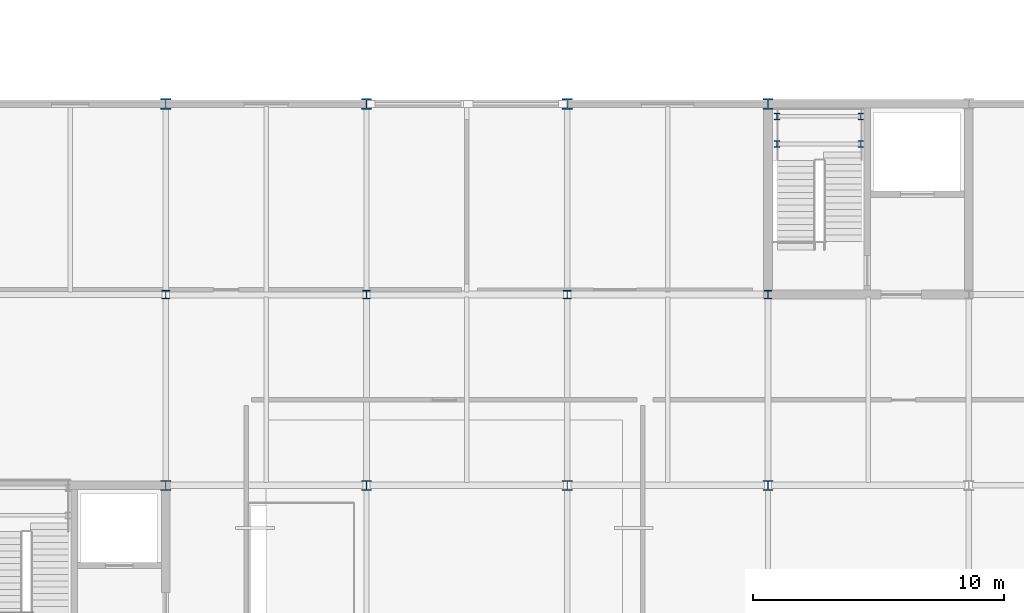
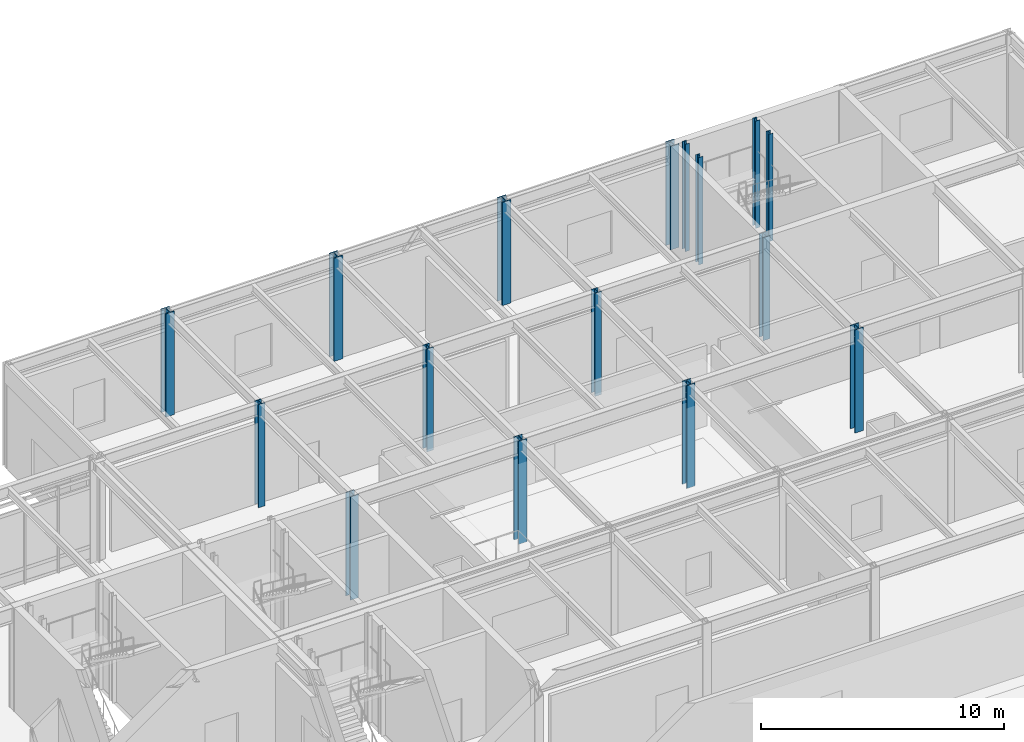
# One storey, part 19 of 94: 16 columns.
"""IFC4 building model written with IfcOpenShell, lengths in metres."""

from ifc_helpers import new_model, si_unit, direction, frame, origin, origin_2d, place, context, subcontext, project, spatial, i_section, extrude, material, material_profile, profile_set, type_object, element, save


model = new_model("IFC4")

# Units and contexts
model_context = context("Model", 3, precision=1e-05, world=origin(), true_north=direction((0.0, 1.0)))
body_context = subcontext(model_context, "Body", "Model", "MODEL_VIEW")
ifc_project = project(units=[si_unit("LENGTHUNIT", "METRE"), si_unit("AREAUNIT", "SQUARE_METRE"), si_unit("VOLUMEUNIT", "CUBIC_METRE"), si_unit("PLANEANGLEUNIT", "RADIAN"), si_unit("MASSUNIT", "GRAM", prefix="KILO")], contexts=[model_context])

# Site, building, storey
site_placement = place(None, origin())
site = spatial("IfcSite", under=ifc_project, at=site_placement, CompositionType="ELEMENT")
building_placement = place(site_placement, origin())
building = spatial("IfcBuilding", under=site, at=building_placement, Name="Zulena Civic Courthouse", CompositionType="ELEMENT")
storey_placement = place(building_placement, frame((0.0, 0.0, 5.39990234375)))
storey = spatial("IfcBuildingStorey", under=building, at=storey_placement, Name="L01", CompositionType="ELEMENT", Elevation=5.39990234375)

# Columns
ifc_material = material(Name="Steel ASTM A992 Grade 50", Category="steel")
ifc_material_profile_1 = material_profile(ifc_material, i_section(OverallWidth=0.2041015625, OverallDepth=0.257080078125, WebThickness=0.0087890625, FlangeThickness=0.015625, FilletRadius=0.0126953125, at=origin_2d()), Name="W10X45")
ifc_profile_set_1 = profile_set([ifc_material_profile_1], Name="Steel ASTM A992 Grade 50")
column_type_1 = type_object("IfcColumnType", Name="Col_W10X45", PredefinedType="COLUMN", material=ifc_profile_set_1)
for number, where, z_axis, x_axis, name in (
    (1, (156.360107421875, 51.60009765625, 0.0), (0.0, 0.0, 1.0), (1.0, 0.0, 0.0), "col:lnd:K3B:L01:0:0"),
    (2, (159.699951171875, 51.60009765625, 0.0), (0.0, 0.0, 1.0), (1.0, 0.0, 0.0), "col:lnd:K3B:L01:0:1"),
    (3, (156.360107421875, 52.699951171875, 0.0), (0.0, 0.0, 1.0), (1.0, 0.0, 0.0), "col:lnd:K3B:L01:1:0"),
    (4, (159.699951171875, 52.699951171875, 0.0), (0.0, 0.0, 1.0), (1.0, 0.0, 0.0), "col:lnd:K3B:L01:1:1"),
):
    element("IfcColumn", number, at=place(storey_placement, frame(where, z_axis=z_axis, x_axis=x_axis)), inside=storey, type_object=column_type_1, Name=name, PredefinedType="COLUMN", context=body_context, shape_type="SweptSolid", body=[
        extrude(i_section(OverallWidth=0.2041015625, OverallDepth=0.257080078125, WebThickness=0.0087890625, FlangeThickness=0.015625, FilletRadius=0.0126953125, at=origin_2d()), origin(), (0.0, 0.0, 1.0), 5.39501953125),
    ])
ifc_material_profile_2 = material_profile(ifc_material, i_section(OverallWidth=0.31298828125, OverallDepth=0.3330078125, WebThickness=0.01806640625, FlangeThickness=0.0283203125, FilletRadius=0.01513671875, at=origin_2d()), Name="W12X120")
ifc_profile_set_2 = profile_set([ifc_material_profile_2], Name="Steel ASTM A992 Grade 50")
column_type_2 = type_object("IfcColumnType", Name="Col_W12X120", PredefinedType="COLUMN", material=ifc_profile_set_2)
for number, where, z_axis, x_axis, name in (
    (5, (132.0, 45.60009765625, 0.0), (0.0, 0.0, 1.0), (1.0, 0.0, 0.0), "col:V3:L01:132.0:45.6"),
    (6, (140.0, 45.60009765625, 0.0), (0.0, 0.0, 1.0), (1.0, 0.0, 0.0), "col:V3:L01:140.0:45.6"),
    (7, (148.0, 45.60009765625, 0.0), (0.0, 0.0, 1.0), (1.0, 0.0, 0.0), "col:V3:L01:148.0:45.6"),
    (8, (156.0, 45.60009765625, 0.0), (0.0, 0.0, 1.0), (1.0, 0.0, 0.0), "col:V3:L01:156.0:45.6"),
):
    element("IfcColumn", number, at=place(storey_placement, frame(where, z_axis=z_axis, x_axis=x_axis)), inside=storey, type_object=column_type_2, Name=name, PredefinedType="COLUMN", context=body_context, shape_type="SweptSolid", body=[
        extrude(i_section(OverallWidth=0.31298828125, OverallDepth=0.3330078125, WebThickness=0.01806640625, FlangeThickness=0.0283203125, FilletRadius=0.01513671875, at=origin_2d()), origin(), (0.0, 0.0, 1.0), 5.18505859375),
    ])
ifc_material_profile_3 = material_profile(ifc_material, i_section(OverallWidth=0.40087890625, OverallDepth=0.39892578125, WebThickness=0.02490234375, FlangeThickness=0.03955078125, FilletRadius=0.01513671875, at=origin_2d()), Name="W14X211")
ifc_profile_set_3 = profile_set([ifc_material_profile_3], Name="Steel ASTM A992 Grade 50")
column_type_3 = type_object("IfcColumnType", Name="Col_W14X211", PredefinedType="COLUMN", material=ifc_profile_set_3)
for number, where, z_axis, x_axis, name in (
    (9, (132.0, 38.0, 0.0), (0.0, 0.0, 1.0), (1.0, 0.0, 0.0), "col:V3:L01:132.0:38.0"),
    (10, (140.0, 38.0, 0.0), (0.0, 0.0, 1.0), (1.0, 0.0, 0.0), "col:V3:L01:140.0:38.0"),
    (11, (148.0, 38.0, 0.0), (0.0, 0.0, 1.0), (1.0, 0.0, 0.0), "col:V3:L01:148.0:38.0"),
    (12, (156.0, 38.0, 0.0), (0.0, 0.0, 1.0), (1.0, 0.0, 0.0), "col:V3:L01:156.0:38.0"),
):
    element("IfcColumn", number, at=place(storey_placement, frame(where, z_axis=z_axis, x_axis=x_axis)), inside=storey, type_object=column_type_3, Name=name, PredefinedType="COLUMN", context=body_context, shape_type="SweptSolid", body=[
        extrude(i_section(OverallWidth=0.40087890625, OverallDepth=0.39892578125, WebThickness=0.02490234375, FlangeThickness=0.03955078125, FilletRadius=0.01513671875, at=origin_2d()), origin(), (0.0, 0.0, 1.0), 5.18505859375),
    ])
ifc_material_profile_4 = material_profile(ifc_material, i_section(OverallWidth=0.412109375, OverallDepth=0.43505859375, WebThickness=0.035888671875, FlangeThickness=0.057373046875, FilletRadius=0.01513671875, at=origin_2d()), Name="W14X311")
ifc_profile_set_4 = profile_set([ifc_material_profile_4], Name="Steel ASTM A992 Grade 50")
column_type_4 = type_object("IfcColumnType", Name="Col_W14X311", PredefinedType="COLUMN", material=ifc_profile_set_4)
for number, where, z_axis, x_axis, name in (
    (13, (132.0, 53.199951171875, 0.0), (0.0, 0.0, 1.0), (1.0, 0.0, 0.0), "col:V3:L01:132.0:53.2"),
    (14, (140.0, 53.199951171875, 0.0), (0.0, 0.0, 1.0), (1.0, 0.0, 0.0), "col:V3:L01:140.0:53.2"),
    (15, (148.0, 53.199951171875, 0.0), (0.0, 0.0, 1.0), (1.0, 0.0, 0.0), "col:V3:L01:148.0:53.2"),
    (16, (156.0, 53.199951171875, 0.0), (0.0, 0.0, 1.0), (1.0, 0.0, 0.0), "col:V3:L01:156.0:53.2"),
):
    element("IfcColumn", number, at=place(storey_placement, frame(where, z_axis=z_axis, x_axis=x_axis)), inside=storey, type_object=column_type_4, Name=name, PredefinedType="COLUMN", context=body_context, shape_type="SweptSolid", body=[
        extrude(i_section(OverallWidth=0.412109375, OverallDepth=0.43505859375, WebThickness=0.035888671875, FlangeThickness=0.057373046875, FilletRadius=0.01513671875, at=origin_2d()), origin(), (0.0, 0.0, 1.0), 5.18505859375),
    ])

save(model, "model.ifc")
